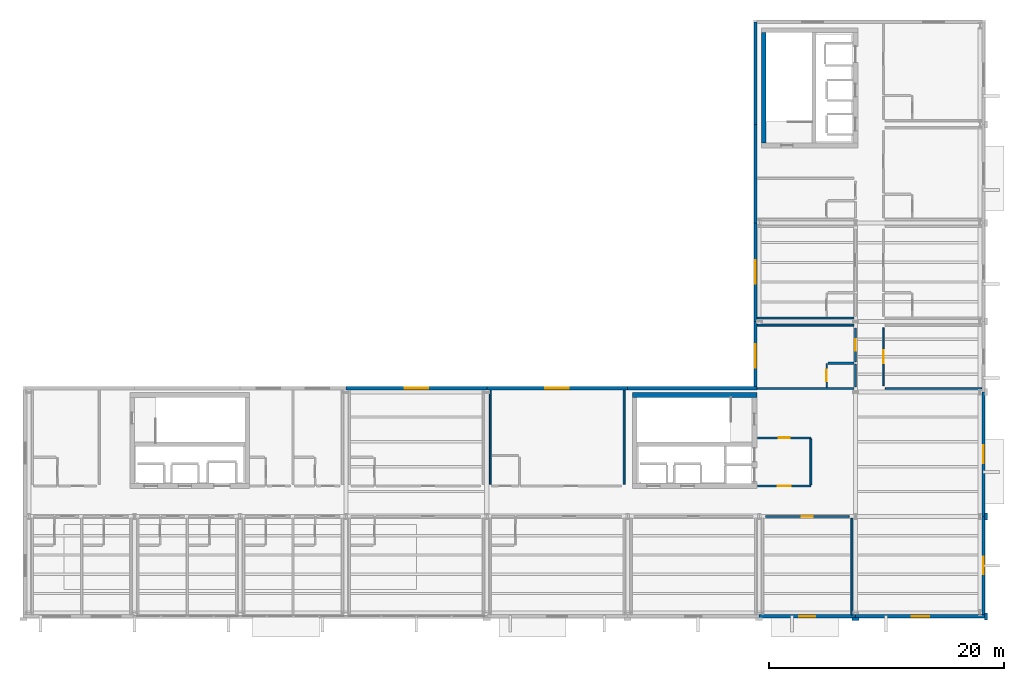
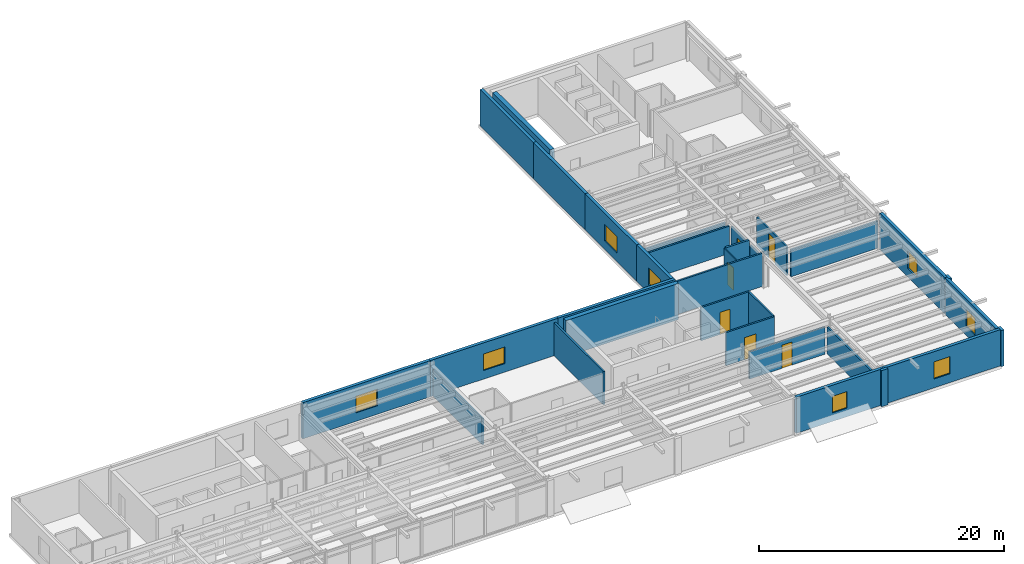
# One storey, part 15 of 19: 32 walls, 8 windows, 6 doors, 14 openings.
"""IFC4 building model written with IfcOpenShell, lengths in metres."""

from ifc_helpers import new_model, si_unit, direction, frame, frame_2d, origin, place, context, subcontext, project, spatial, rectangle, extrude, material, layer, layer_set, type_object, element, fill, save


model = new_model("IFC4")

# Units and contexts
model_context = context("Model", 3, precision=1e-05, world=origin(), true_north=direction((0.0, 1.0)))
body_context = subcontext(model_context, "Body", "Model", "MODEL_VIEW")
ifc_project = project(units=[si_unit("LENGTHUNIT", "METRE"), si_unit("AREAUNIT", "SQUARE_METRE"), si_unit("VOLUMEUNIT", "CUBIC_METRE"), si_unit("PLANEANGLEUNIT", "RADIAN"), si_unit("MASSUNIT", "GRAM", prefix="KILO")], contexts=[model_context])

# Site, building, storey
site_placement = place(None, origin())
site = spatial("IfcSite", under=ifc_project, at=site_placement, CompositionType="ELEMENT")
building_placement = place(site_placement, origin())
building = spatial("IfcBuilding", under=site, at=building_placement, Name="Sollismere Congress Hotel", CompositionType="ELEMENT")
storey_placement = place(building_placement, frame((0.0, 0.0, 44.60009765625)))
storey = spatial("IfcBuildingStorey", under=building, at=storey_placement, Name="L11", CompositionType="ELEMENT", Elevation=44.60009765625)

# Wall, opening, window
ifc_material_1 = material(Name="Colorado Buff Sandstone Rainscreen on Insulated Backup", Category="masonry")
ifc_layer_1 = layer(ifc_material_1, 0.284912109375, Name="Colorado Buff Sandstone Rainscreen on Insulated Backup")
ifc_layer_set_1 = layer_set([ifc_layer_1], Name="Colorado Buff Sandstone Rainscreen on Insulated Backup")
wall_type_1 = type_object("IfcWallType", Name="WL-EXT285", PredefinedType="STANDARD", material=ifc_layer_set_1)
wall_1_placement = place(storey_placement, frame((147.199951171875, -0.31005859375, 0.0), z_axis=(0.0, 0.0, 1.0), x_axis=(1.0, 0.0, 0.0)))
wall_1 = element("IfcWall", 1, at=wall_1_placement, inside=storey, type_object=wall_type_1, Name="Exterior wall EW-L11-1003", PredefinedType="STANDARD", context=body_context, shape_type="SweptSolid", body=[
    extrude(rectangle(XDim=8.199951171875, YDim=0.284912109375, at=frame_2d((4.10009765625, 0.0))), origin(), (0.0, 0.0, 1.0), 3.599853515625),
])
opening_1_placement = place(wall_1_placement, frame((3.425048828125, 0.0, 0.85009765625)))
opening_1 = element("IfcOpeningElement", 2, at=opening_1_placement, cuts=wall_1, Name="Opening W-L11-716", PredefinedType="OPENING", context=body_context, shape_type="SweptSolid", body=[
    extrude(rectangle(XDim=1.35009765625, YDim=1.64990234375, at=frame_2d((0.675048828125, 0.824951171875))), frame((0.0, 0.15234375, 0.0), z_axis=(0.0, -1.0, 0.0), x_axis=(1.0, 0.0, 0.0)), (0.0, 0.0, 1.0), 0.304931640625),
])
ifc_material_2 = material(Name="Thermally Broken Bronze Aluminum & Low-E Glass", Category="aluminium")
window_type_1 = type_object("IfcWindowType", Name="WN-P135x165", PartitioningType="SINGLE_PANEL", PredefinedType="WINDOW", material=ifc_material_2)
window_1_placement = place(opening_1_placement, origin())
window_1 = element("IfcWindow", 3, at=window_1_placement, inside=storey, type_object=window_type_1, Name="WIN-W-L11-716", OverallHeight=1.64990234375, OverallWidth=1.35009765625, PartitioningType="SINGLE_PANEL", PredefinedType="WINDOW", context=body_context, shape_type="SweptSolid", body=[
    extrude(rectangle(XDim=1.35009765625, YDim=1.64990234375, at=frame_2d((0.675048828125, 0.824951171875))), frame((0.0, 0.030029296875, 0.0), z_axis=(0.0, -1.0, 0.0), x_axis=(1.0, 0.0, 0.0)), (0.0, 0.0, 1.0), 0.06005859375),
])
fill(opening_1, window_1)

wall_2_placement = place(storey_placement, frame((155.39990234375, -0.31005859375, 0.0), z_axis=(0.0, 0.0, 1.0), x_axis=(1.0, 0.0, 0.0)))
wall_2 = element("IfcWall", 4, at=wall_2_placement, inside=storey, type_object=wall_type_1, Name="Exterior wall EW-L11-1005", PredefinedType="STANDARD", context=body_context, shape_type="SweptSolid", body=[
    extrude(rectangle(XDim=11.050048828125, YDim=0.284912109375, at=frame_2d((5.52490234375, 0.0))), origin(), (0.0, 0.0, 1.0), 3.599853515625),
])
opening_2_placement = place(wall_2_placement, frame((4.77490234375, 0.0, 0.8798828125)))
opening_2 = element("IfcOpeningElement", 5, at=opening_2_placement, cuts=wall_2, Name="Opening W-L11-717", PredefinedType="OPENING", context=body_context, shape_type="SweptSolid", body=[
    extrude(rectangle(XDim=1.5, YDim=1.699951171875, at=frame_2d((0.75, 0.85009765625))), frame((0.0, 0.15234375, 0.0), z_axis=(0.0, -1.0, 0.0), x_axis=(1.0, 0.0, 0.0)), (0.0, 0.0, 1.0), 0.304931640625),
])
window_type_2 = type_object("IfcWindowType", Name="WN-P150x170", PartitioningType="SINGLE_PANEL", PredefinedType="WINDOW", material=ifc_material_2)
window_2_placement = place(opening_2_placement, origin())
window_2 = element("IfcWindow", 6, at=window_2_placement, inside=storey, type_object=window_type_2, Name="WIN-W-L11-717", OverallHeight=1.699951171875, OverallWidth=1.5, PartitioningType="SINGLE_PANEL", PredefinedType="WINDOW", context=body_context, shape_type="SweptSolid", body=[
    extrude(rectangle(XDim=1.5, YDim=1.699951171875, at=frame_2d((0.75, 0.85009765625))), frame((0.0, 0.030029296875, 0.0), z_axis=(0.0, -1.0, 0.0), x_axis=(1.0, 0.0, 0.0)), (0.0, 0.0, 1.0), 0.06005859375),
])
fill(opening_2, window_2)

wall_3_placement = place(storey_placement, frame((166.31005859375, -0.16552734375, 0.0), z_axis=(0.0, 0.0, 1.0), x_axis=(0.0, 1.0, 0.0)))
wall_3 = element("IfcWall", 7, at=wall_3_placement, inside=storey, type_object=wall_type_1, Name="Exterior wall EW-L11-1007", PredefinedType="STANDARD", context=body_context, shape_type="SweptSolid", body=[
    extrude(rectangle(XDim=8.365478515625, YDim=0.284912109375, at=frame_2d((4.1826171875, 0.0))), origin(), (0.0, 0.0, 1.0), 3.599853515625),
])
opening_3_placement = place(wall_3_placement, frame((3.4326171875, 0.0, 0.8798828125)))
opening_3 = element("IfcOpeningElement", 8, at=opening_3_placement, cuts=wall_3, Name="Opening W-L11-718", PredefinedType="OPENING", context=body_context, shape_type="SweptSolid", body=[
    extrude(rectangle(XDim=1.5, YDim=1.699951171875, at=frame_2d((0.75, 0.85009765625))), frame((0.0, 0.15234375, 0.0), z_axis=(0.0, -1.0, 0.0), x_axis=(1.0, 0.0, 0.0)), (0.0, 0.0, 1.0), 0.304931640625),
])
window_3_placement = place(opening_3_placement, origin())
window_3 = element("IfcWindow", 9, at=window_3_placement, inside=storey, type_object=window_type_2, Name="WIN-W-L11-718", OverallHeight=1.699951171875, OverallWidth=1.5, PartitioningType="SINGLE_PANEL", PredefinedType="WINDOW", context=body_context, shape_type="SweptSolid", body=[
    extrude(rectangle(XDim=1.5, YDim=1.699951171875, at=frame_2d((0.75, 0.85009765625))), frame((0.0, 0.030029296875, 0.0), z_axis=(0.0, -1.0, 0.0), x_axis=(1.0, 0.0, 0.0)), (0.0, 0.0, 1.0), 0.06005859375),
])
fill(opening_3, window_3)

wall_4_placement = place(storey_placement, frame((166.31005859375, 8.199951171875, 0.0), z_axis=(0.0, 0.0, 1.0), x_axis=(0.0, 1.0, 0.0)))
wall_4 = element("IfcWall", 10, at=wall_4_placement, inside=storey, type_object=wall_type_1, Name="Exterior wall EW-L11-1009", PredefinedType="STANDARD", context=body_context, shape_type="SweptSolid", body=[
    extrude(rectangle(XDim=10.60009765625, YDim=0.284912109375, at=frame_2d((5.300048828125, 0.0))), origin(), (0.0, 0.0, 1.0), 3.599853515625),
])
opening_4_placement = place(wall_4_placement, frame((4.550048828125, 0.0, 0.8798828125)))
opening_4 = element("IfcOpeningElement", 11, at=opening_4_placement, cuts=wall_4, Name="Opening W-L11-719", PredefinedType="OPENING", context=body_context, shape_type="SweptSolid", body=[
    extrude(rectangle(XDim=1.5, YDim=1.699951171875, at=frame_2d((0.75, 0.85009765625))), frame((0.0, 0.15234375, 0.0), z_axis=(0.0, -1.0, 0.0), x_axis=(1.0, 0.0, 0.0)), (0.0, 0.0, 1.0), 0.304931640625),
])
window_4_placement = place(opening_4_placement, origin())
window_4 = element("IfcWindow", 12, at=window_4_placement, inside=storey, type_object=window_type_2, Name="WIN-W-L11-719", OverallHeight=1.699951171875, OverallWidth=1.5, PartitioningType="SINGLE_PANEL", PredefinedType="WINDOW", context=body_context, shape_type="SweptSolid", body=[
    extrude(rectangle(XDim=1.5, YDim=1.699951171875, at=frame_2d((0.75, 0.85009765625))), frame((0.0, 0.030029296875, 0.0), z_axis=(0.0, -1.0, 0.0), x_axis=(1.0, 0.0, 0.0)), (0.0, 0.0, 1.0), 0.06005859375),
])
fill(opening_4, window_4)

wall_5_placement = place(storey_placement, frame((124.0, 19.110107421875, 0.0), z_axis=(0.0, 0.0, 1.0), x_axis=(-1.0, 0.0, 0.0)))
wall_5 = element("IfcWall", 13, at=wall_5_placement, inside=storey, type_object=wall_type_1, Name="Exterior wall EW-L11-1022", PredefinedType="STANDARD", context=body_context, shape_type="SweptSolid", body=[
    extrude(rectangle(XDim=12.0, YDim=0.284912109375, at=frame_2d((6.0, 0.0))), origin(), (0.0, 0.0, 1.0), 3.599853515625),
])
opening_5_placement = place(wall_5_placement, frame((5.0, 0.0, 0.85009765625)))
opening_5 = element("IfcOpeningElement", 14, at=opening_5_placement, cuts=wall_5, Name="Opening W-L11-726", PredefinedType="OPENING", context=body_context, shape_type="SweptSolid", body=[
    extrude(rectangle(XDim=2.0, YDim=1.64990234375, at=frame_2d((1.0, 0.824951171875))), frame((0.0, 0.15234375, 0.0), z_axis=(0.0, -1.0, 0.0), x_axis=(1.0, 0.0, 0.0)), (0.0, 0.0, 1.0), 0.304931640625),
])
window_type_3 = type_object("IfcWindowType", Name="WN-P200x165", PartitioningType="SINGLE_PANEL", PredefinedType="WINDOW", material=ifc_material_2)
window_5_placement = place(opening_5_placement, origin())
window_5 = element("IfcWindow", 15, at=window_5_placement, inside=storey, type_object=window_type_3, Name="WIN-W-L11-726", OverallHeight=1.64990234375, OverallWidth=2.0, PartitioningType="SINGLE_PANEL", PredefinedType="WINDOW", context=body_context, shape_type="SweptSolid", body=[
    extrude(rectangle(XDim=2.0, YDim=1.64990234375, at=frame_2d((1.0, 0.824951171875))), frame((0.0, 0.030029296875, 0.0), z_axis=(0.0, -1.0, 0.0), x_axis=(1.0, 0.0, 0.0)), (0.0, 0.0, 1.0), 0.06005859375),
])
fill(opening_5, window_5)

wall_6_placement = place(storey_placement, frame((136.0, 19.110107421875, 0.0), z_axis=(0.0, 0.0, 1.0), x_axis=(-1.0, 0.0, 0.0)))
wall_6 = element("IfcWall", 16, at=wall_6_placement, inside=storey, type_object=wall_type_1, Name="Exterior wall EW-L11-1023", PredefinedType="STANDARD", context=body_context, shape_type="SweptSolid", body=[
    extrude(rectangle(XDim=12.0, YDim=0.284912109375, at=frame_2d((6.0, 0.0))), origin(), (0.0, 0.0, 1.0), 3.599853515625),
])
opening_6_placement = place(wall_6_placement, frame((5.0, 0.0, 0.85009765625)))
opening_6 = element("IfcOpeningElement", 17, at=opening_6_placement, cuts=wall_6, Name="Opening W-L11-727", PredefinedType="OPENING", context=body_context, shape_type="SweptSolid", body=[
    extrude(rectangle(XDim=2.0, YDim=1.64990234375, at=frame_2d((1.0, 0.824951171875))), frame((0.0, 0.15234375, 0.0), z_axis=(0.0, -1.0, 0.0), x_axis=(1.0, 0.0, 0.0)), (0.0, 0.0, 1.0), 0.304931640625),
])
window_6_placement = place(opening_6_placement, origin())
window_6 = element("IfcWindow", 18, at=window_6_placement, inside=storey, type_object=window_type_3, Name="WIN-W-L11-727", OverallHeight=1.64990234375, OverallWidth=2.0, PartitioningType="SINGLE_PANEL", PredefinedType="WINDOW", context=body_context, shape_type="SweptSolid", body=[
    extrude(rectangle(XDim=2.0, YDim=1.64990234375, at=frame_2d((1.0, 0.824951171875))), frame((0.0, 0.030029296875, 0.0), z_axis=(0.0, -1.0, 0.0), x_axis=(1.0, 0.0, 0.0)), (0.0, 0.0, 1.0), 0.06005859375),
])
fill(opening_6, window_6)

# Wall
wall_7_placement = place(storey_placement, frame((147.030029296875, 19.110107421875, 0.0), z_axis=(0.0, 0.0, 1.0), x_axis=(-1.0, 0.0, 0.0)))
element("IfcWall", 19, at=wall_7_placement, inside=storey, type_object=wall_type_1, Name="Exterior wall EW-L11-1024", PredefinedType="STANDARD", context=body_context, shape_type="SweptSolid", body=[
    extrude(rectangle(XDim=11.030029296875, YDim=0.284912109375, at=frame_2d((5.51513671875, 0.0))), origin(), (0.0, 0.0, 1.0), 3.599853515625),
])

# Wall, opening, window
wall_8_placement = place(storey_placement, frame((146.889892578125, 19.25439453125, 0.0), z_axis=(0.0, 0.0, 1.0), x_axis=(0.0, 1.0, 0.0)))
wall_8 = element("IfcWall", 20, at=wall_8_placement, inside=storey, type_object=wall_type_1, Name="Exterior wall EW-L11-1025", PredefinedType="STANDARD", context=body_context, shape_type="SweptSolid", body=[
    extrude(rectangle(XDim=5.545654296875, YDim=0.284912109375, at=frame_2d((2.77294921875, 0.0))), origin(), (0.0, 0.0, 1.0), 3.599853515625),
])
opening_7_placement = place(wall_8_placement, frame((1.59765625, 0.0, 0.85009765625)))
opening_7 = element("IfcOpeningElement", 21, at=opening_7_placement, cuts=wall_8, Name="Opening W-L11-728", PredefinedType="OPENING", context=body_context, shape_type="SweptSolid", body=[
    extrude(rectangle(XDim=2.0, YDim=1.64990234375, at=frame_2d((1.0, 0.824951171875))), frame((0.0, 0.15234375, 0.0), z_axis=(0.0, -1.0, 0.0), x_axis=(1.0, 0.0, 0.0)), (0.0, 0.0, 1.0), 0.304931640625),
])
window_7_placement = place(opening_7_placement, origin())
window_7 = element("IfcWindow", 22, at=window_7_placement, inside=storey, type_object=window_type_3, Name="WIN-W-L11-728", OverallHeight=1.64990234375, OverallWidth=2.0, PartitioningType="SINGLE_PANEL", PredefinedType="WINDOW", context=body_context, shape_type="SweptSolid", body=[
    extrude(rectangle(XDim=2.0, YDim=1.64990234375, at=frame_2d((1.0, 0.824951171875))), frame((0.0, 0.030029296875, 0.0), z_axis=(0.0, -1.0, 0.0), x_axis=(1.0, 0.0, 0.0)), (0.0, 0.0, 1.0), 0.06005859375),
])
fill(opening_7, window_7)

wall_9_placement = place(storey_placement, frame((146.889892578125, 24.800048828125, 0.0), z_axis=(0.0, 0.0, 1.0), x_axis=(0.0, 1.0, 0.0)))
wall_9 = element("IfcWall", 23, at=wall_9_placement, inside=storey, type_object=wall_type_1, Name="Exterior wall EW-L11-1026", PredefinedType="STANDARD", context=body_context, shape_type="SweptSolid", body=[
    extrude(rectangle(XDim=8.39990234375, YDim=0.284912109375, at=frame_2d((4.199951171875, 0.0))), origin(), (0.0, 0.0, 1.0), 3.599853515625),
])
opening_8_placement = place(wall_9_placement, frame((3.199951171875, 0.0, 0.85009765625)))
opening_8 = element("IfcOpeningElement", 24, at=opening_8_placement, cuts=wall_9, Name="Opening W-L11-729", PredefinedType="OPENING", context=body_context, shape_type="SweptSolid", body=[
    extrude(rectangle(XDim=2.0, YDim=1.64990234375, at=frame_2d((1.0, 0.824951171875))), frame((0.0, 0.15234375, 0.0), z_axis=(0.0, -1.0, 0.0), x_axis=(1.0, 0.0, 0.0)), (0.0, 0.0, 1.0), 0.304931640625),
])
window_8_placement = place(opening_8_placement, origin())
window_8 = element("IfcWindow", 25, at=window_8_placement, inside=storey, type_object=window_type_3, Name="WIN-W-L11-729", OverallHeight=1.64990234375, OverallWidth=2.0, PartitioningType="SINGLE_PANEL", PredefinedType="WINDOW", context=body_context, shape_type="SweptSolid", body=[
    extrude(rectangle(XDim=2.0, YDim=1.64990234375, at=frame_2d((1.0, 0.824951171875))), frame((0.0, 0.030029296875, 0.0), z_axis=(0.0, -1.0, 0.0), x_axis=(1.0, 0.0, 0.0)), (0.0, 0.0, 1.0), 0.06005859375),
])
fill(opening_8, window_8)

# Walls
wall_10_placement = place(storey_placement, frame((146.889892578125, 33.199951171875, 0.0), z_axis=(0.0, 0.0, 1.0), x_axis=(0.0, 1.0, 0.0)))
element("IfcWall", 26, at=wall_10_placement, inside=storey, type_object=wall_type_1, Name="Exterior wall EW-L11-1027", PredefinedType="STANDARD", context=body_context, shape_type="SweptSolid", body=[
    extrude(rectangle(XDim=8.400146484375, YDim=0.284912109375, at=frame_2d((4.2001953125, 0.0))), origin(), (0.0, 0.0, 1.0), 3.599853515625),
])
wall_11_placement = place(storey_placement, frame((146.889892578125, 41.60009765625, 0.0), z_axis=(0.0, 0.0, 1.0), x_axis=(0.0, 1.0, 0.0)))
element("IfcWall", 27, at=wall_11_placement, inside=storey, type_object=wall_type_1, Name="Exterior wall EW-L11-1028", PredefinedType="STANDARD", context=body_context, shape_type="SweptSolid", body=[
    extrude(rectangle(XDim=8.7099609375, YDim=0.284912109375, at=frame_2d((4.35498046875, 0.0))), origin(), (0.0, 0.0, 1.0), 3.599853515625),
])
ifc_material_3 = material(Name="Carved Travertine Pilaster & Frieze Assembly", Category="masonry")
ifc_layer_2 = layer(ifc_material_3, 0.260009765625, Name="Carved Travertine Pilaster & Frieze Assembly")
ifc_layer_set_2 = layer_set([ifc_layer_2], Name="Carved Travertine Pilaster & Frieze Assembly")
wall_type_2 = type_object("IfcWallType", Name="WL-PIL280", PredefinedType="ELEMENTEDWALL", material=ifc_layer_set_2)
wall_12_placement = place(storey_placement, frame((155.10009765625, -0.52001953125, 0.0), z_axis=(0.0, 0.0, 1.0), x_axis=(1.0, 0.0, 0.0)))
element("IfcWall", 28, at=wall_12_placement, inside=storey, type_object=wall_type_2, Name="Exterior wall EW-L11-1006", PredefinedType="ELEMENTEDWALL", context=body_context, shape_type="SweptSolid", body=[
    extrude(rectangle(XDim=0.599853515625, YDim=0.260009765625, at=frame_2d((0.2998046875, 0.0))), origin(), (0.0, 0.0, 1.0), 3.599853515625),
])
for number, where, z_axis, x_axis, name in (
    (29, (166.52001953125, -0.610107421875, 0.0), (0.0, 0.0, 1.0), (0.0, 1.0, 0.0), "Exterior wall EW-L11-1008"),
    (30, (166.52001953125, 7.89990234375, 0.0), (0.0, 0.0, 1.0), (0.0, 1.0, 0.0), "Exterior wall EW-L11-1010"),
):
    element("IfcWall", number, at=place(storey_placement, frame(where, z_axis=z_axis, x_axis=x_axis)), inside=storey, type_object=wall_type_2, Name=name, PredefinedType="ELEMENTEDWALL", context=body_context, shape_type="SweptSolid", body=[
        extrude(rectangle(XDim=0.60009765625, YDim=0.260009765625, at=frame_2d((0.300048828125, 0.0))), origin(), (0.0, 0.0, 1.0), 3.599853515625),
    ])
ifc_material_4 = material(Name="Moisture-Resistant Shaft Gypsum Assembly")
ifc_layer_3 = layer(ifc_material_4, 0.199951171875, Name="Moisture-Resistant Shaft Gypsum Assembly")
ifc_layer_set_3 = layer_set([ifc_layer_3], Name="Moisture-Resistant Shaft Gypsum Assembly")
wall_type_3 = type_object("IfcWallType", Name="WL-PLM200", PredefinedType="PLUMBINGWALL", material=ifc_layer_set_3)
wall_13_placement = place(storey_placement, frame((153.070068359375, 21.25, 0.0), z_axis=(0.0, 0.0, 1.0), x_axis=(1.0, 0.0, 0.0)))
element("IfcWall", 31, at=wall_13_placement, inside=storey, type_object=wall_type_3, Name="Interior wall IW-L11-2945", PredefinedType="PLUMBINGWALL", context=body_context, shape_type="SweptSolid", body=[
    extrude(rectangle(XDim=2.2099609375, YDim=0.199951171875, at=frame_2d((1.10498046875, 0.0))), origin(), (0.0, 0.0, 1.0), 3.2998046875),
])

# Wall, opening, door
ifc_material_5 = material(Name="Moisture-Resistant Gypsum Partition")
ifc_layer_4 = layer(ifc_material_5, 0.10009765625, Name="Moisture-Resistant Gypsum Partition")
ifc_layer_set_4 = layer_set([ifc_layer_4], Name="Moisture-Resistant Gypsum Partition")
wall_type_4 = type_object("IfcWallType", Name="WL-PRT100", PredefinedType="PARTITIONING", material=ifc_layer_set_4)
wall_14_placement = place(storey_placement, frame((152.949951171875, 19.194580078125, 0.0), z_axis=(0.0, 0.0, 1.0), x_axis=(0.0, 1.0, 0.0)))
wall_14 = element("IfcWall", 32, at=wall_14_placement, inside=storey, type_object=wall_type_4, Name="Interior wall IW-L11-2946", PredefinedType="PARTITIONING", context=body_context, shape_type="SweptSolid", body=[
    extrude(rectangle(XDim=2.015380859375, YDim=0.10009765625, at=frame_2d((1.0078125, 0.0))), origin(), (0.0, 0.0, 1.0), 3.2998046875),
])
opening_9_placement = place(wall_14_placement, frame((0.530029296875, 0.0, 0.0)))
opening_9 = element("IfcOpeningElement", 33, at=opening_9_placement, cuts=wall_14, Name="Opening D-L11-1041", PredefinedType="OPENING", context=body_context, shape_type="SweptSolid", body=[
    extrude(rectangle(XDim=0.955078125, YDim=2.219970703125, at=frame_2d((0.4775390625, 1.10986328125))), frame((0.0, 0.06005859375, 0.0), z_axis=(0.0, -1.0, 0.0), x_axis=(1.0, 0.0, 0.0)), (0.0, 0.0, 1.0), 0.1201171875),
])
ifc_material_6 = material(Name="Moisture-Sealed Timber Bathroom Door", Category="wood")
door_type_1 = type_object("IfcDoorType", Name="DR-BT08", OperationType="NOTDEFINED", PredefinedType="DOOR", material=ifc_material_6)
door_1_placement = place(opening_9_placement, origin())
door_1 = element("IfcDoor", 34, at=door_1_placement, inside=storey, type_object=door_type_1, Name="En-suite bathroom door D-L11-1041", OperationType="SINGLE_SWING_RIGHT", OverallHeight=2.219970703125, OverallWidth=0.955078125, PredefinedType="DOOR", context=body_context, shape_type="SweptSolid", body=[
    extrude(rectangle(XDim=0.955078125, YDim=2.219970703125, at=frame_2d((0.4775390625, 1.10986328125))), frame((0.0, 0.02490234375, 0.0), z_axis=(0.0, -1.0, 0.0), x_axis=(1.0, 0.0, 0.0)), (0.0, 0.0, 1.0), 0.050048828125),
])
fill(opening_9, door_1)

# Wall
ifc_material_7 = material(Name="Fire-Rated Gypsum Partition")
ifc_layer_5 = layer(ifc_material_7, 0.139892578125, Name="Fire-Rated Gypsum Partition")
ifc_layer_set_5 = layer_set([ifc_layer_5], Name="Fire-Rated Gypsum Partition")
wall_type_5 = type_object("IfcWallType", Name="WL-PRT140R", PredefinedType="PARTITIONING", material=ifc_layer_set_5)
wall_15_placement = place(storey_placement, frame((155.39990234375, 19.239990234375, 0.0), z_axis=(0.0, 0.0, 1.0), x_axis=(0.0, 1.0, 0.0)))
element("IfcWall", 35, at=wall_15_placement, inside=storey, type_object=wall_type_5, Name="Interior wall IW-L11-2941", PredefinedType="PARTITIONING", context=body_context, shape_type="SweptSolid", body=[
    extrude(rectangle(XDim=1.929931640625, YDim=0.139892578125, at=frame_2d((0.96484375, 0.0))), origin(), (0.0, 0.0, 1.0), 2.77392578125),
])

# Wall, opening, door
wall_16_placement = place(storey_placement, frame((155.39990234375, 21.3701171875, 0.0), z_axis=(0.0, 0.0, 1.0), x_axis=(0.0, 1.0, 0.0)))
wall_16 = element("IfcWall", 36, at=wall_16_placement, inside=storey, type_object=wall_type_5, Name="Interior wall IW-L11-2942", PredefinedType="PARTITIONING", context=body_context, shape_type="SweptSolid", body=[
    extrude(rectangle(XDim=2.889892578125, YDim=0.139892578125, at=frame_2d((1.44482421875, 0.0))), origin(), (0.0, 0.0, 1.0), 2.77392578125),
])
opening_10_placement = place(wall_16_placement, frame((0.955078125, 0.0, 0.0)))
opening_10 = element("IfcOpeningElement", 37, at=opening_10_placement, cuts=wall_16, Name="Opening D-L11-1040", PredefinedType="OPENING", context=body_context, shape_type="SweptSolid", body=[
    extrude(rectangle(XDim=0.97998046875, YDim=2.199951171875, at=frame_2d((0.489990234375, 1.10009765625))), frame((0.0, 0.079833984375, 0.0), z_axis=(0.0, -1.0, 0.0), x_axis=(1.0, 0.0, 0.0)), (0.0, 0.0, 1.0), 0.159912109375),
])
ifc_material_8 = material(Name="Solid-Core Acoustic Walnut Guestroom Entry Door")
door_type_2 = type_object("IfcDoorType", Name="DR-KY03", OperationType="NOTDEFINED", PredefinedType="DOOR", material=ifc_material_8)
door_2_placement = place(opening_10_placement, origin())
door_2 = element("IfcDoor", 38, at=door_2_placement, inside=storey, type_object=door_type_2, Name="Hotel room entry door D-L11-1040", OperationType="SINGLE_SWING_LEFT", OverallHeight=2.199951171875, OverallWidth=0.97998046875, PredefinedType="DOOR", context=body_context, shape_type="SweptSolid", body=[
    extrude(rectangle(XDim=0.97998046875, YDim=2.199951171875, at=frame_2d((0.489990234375, 1.10009765625))), frame((0.0, 0.02490234375, 0.0), z_axis=(0.0, -1.0, 0.0), x_axis=(1.0, 0.0, 0.0)), (0.0, 0.0, 1.0), 0.050048828125),
])
fill(opening_10, door_2)

wall_17_placement = place(storey_placement, frame((147.739990234375, 8.199951171875, 0.0), z_axis=(0.0, 0.0, 1.0), x_axis=(1.0, 0.0, 0.0)))
wall_17 = element("IfcWall", 39, at=wall_17_placement, inside=storey, type_object=wall_type_5, Name="Interior wall IW-L11-2985", PredefinedType="PARTITIONING", context=body_context, shape_type="SweptSolid", body=[
    extrude(rectangle(XDim=7.1201171875, YDim=0.139892578125, at=frame_2d((3.56005859375, 0.0))), origin(), (0.0, 0.0, 1.0), 2.712890625),
])
opening_11_placement = place(wall_17_placement, frame((3.0849609375, 0.0, 0.0)))
opening_11 = element("IfcOpeningElement", 40, at=opening_11_placement, cuts=wall_17, Name="Opening D-L11-1055", PredefinedType="OPENING", context=body_context, shape_type="SweptSolid", body=[
    extrude(rectangle(XDim=0.949951171875, YDim=2.300048828125, at=frame_2d((0.47509765625, 1.14990234375))), frame((0.0, 0.079833984375, 0.0), z_axis=(0.0, -1.0, 0.0), x_axis=(1.0, 0.0, 0.0)), (0.0, 0.0, 1.0), 0.159912109375),
])
door_type_3 = type_object("IfcDoorType", Name="DR-KY08", OperationType="NOTDEFINED", PredefinedType="DOOR", material=ifc_material_8)
door_3_placement = place(opening_11_placement, origin())
door_3 = element("IfcDoor", 41, at=door_3_placement, inside=storey, type_object=door_type_3, Name="Hotel room entry door D-L11-1055", OperationType="SINGLE_SWING_RIGHT", OverallHeight=2.300048828125, OverallWidth=0.949951171875, PredefinedType="DOOR", context=body_context, shape_type="SweptSolid", body=[
    extrude(rectangle(XDim=0.949951171875, YDim=2.300048828125, at=frame_2d((0.47509765625, 1.14990234375))), frame((0.0, 0.02490234375, 0.0), z_axis=(0.0, -1.0, 0.0), x_axis=(1.0, 0.0, 0.0)), (0.0, 0.0, 1.0), 0.050048828125),
])
fill(opening_11, door_3)

wall_18_placement = place(storey_placement, frame((157.800048828125, 19.340087890625, 0.0), z_axis=(0.0, 0.0, 1.0), x_axis=(0.0, 1.0, 0.0)))
wall_18 = element("IfcWall", 42, at=wall_18_placement, inside=storey, type_object=wall_type_5, Name="Interior wall IW-L11-2988", PredefinedType="PARTITIONING", context=body_context, shape_type="SweptSolid", body=[
    extrude(rectangle(XDim=4.919921875, YDim=0.139892578125, at=frame_2d((2.4599609375, 0.0))), origin(), (0.0, 0.0, 1.0), 2.85791015625),
])
opening_12_placement = place(wall_18_placement, frame((1.925048828125, 0.0, 0.0)))
opening_12 = element("IfcOpeningElement", 43, at=opening_12_placement, cuts=wall_18, Name="Opening D-L11-1056", PredefinedType="OPENING", context=body_context, shape_type="SweptSolid", body=[
    extrude(rectangle(XDim=1.070068359375, YDim=2.39990234375, at=frame_2d((0.53515625, 1.199951171875))), frame((0.0, 0.079833984375, 0.0), z_axis=(0.0, -1.0, 0.0), x_axis=(1.0, 0.0, 0.0)), (0.0, 0.0, 1.0), 0.159912109375),
])
door_type_4 = type_object("IfcDoorType", Name="DR-KY12", OperationType="NOTDEFINED", PredefinedType="DOOR", material=ifc_material_8)
door_4_placement = place(opening_12_placement, origin())
door_4 = element("IfcDoor", 44, at=door_4_placement, inside=storey, type_object=door_type_4, Name="Hotel room entry door D-L11-1056", OperationType="SINGLE_SWING_LEFT", OverallHeight=2.39990234375, OverallWidth=1.070068359375, PredefinedType="DOOR", context=body_context, shape_type="SweptSolid", body=[
    extrude(rectangle(XDim=1.070068359375, YDim=2.39990234375, at=frame_2d((0.53515625, 1.199951171875))), frame((0.0, 0.02490234375, 0.0), z_axis=(0.0, -1.0, 0.0), x_axis=(1.0, 0.0, 0.0)), (0.0, 0.0, 1.0), 0.050048828125),
])
fill(opening_12, door_4)

ifc_material_9 = material(Name="Fire-Rated Acoustic Gypsum Partition")
ifc_layer_6 = layer(ifc_material_9, 0.1650390625, Name="Fire-Rated Acoustic Gypsum Partition")
ifc_layer_set_6 = layer_set([ifc_layer_6], Name="Fire-Rated Acoustic Gypsum Partition")
wall_type_6 = type_object("IfcWallType", Name="WL-PRT165R", PredefinedType="PARTITIONING", material=ifc_layer_set_6)
wall_19_placement = place(storey_placement, frame((147.050048828125, 10.800048828125, 0.0), z_axis=(0.0, 0.0, 1.0), x_axis=(1.0, 0.0, 0.0)))
wall_19 = element("IfcWall", 45, at=wall_19_placement, inside=storey, type_object=wall_type_6, Name="Interior wall IW-L11-0206", PredefinedType="PARTITIONING", context=body_context, shape_type="SweptSolid", body=[
    extrude(rectangle(XDim=4.550048828125, YDim=0.1650390625, at=frame_2d((2.27490234375, 0.0))), origin(), (0.0, 0.0, 1.0), 3.2998046875),
])
opening_13_placement = place(wall_19_placement, frame((1.72509765625, 0.0, 0.0)))
opening_13 = element("IfcOpeningElement", 46, at=opening_13_placement, cuts=wall_19, Name="Opening D-FFL-L11", PredefinedType="OPENING", context=body_context, shape_type="SweptSolid", body=[
    extrude(rectangle(XDim=1.10009765625, YDim=2.199951171875, at=frame_2d((0.550048828125, 1.10009765625))), frame((0.0, 0.092529296875, 0.0), z_axis=(0.0, -1.0, 0.0), x_axis=(1.0, 0.0, 0.0)), (0.0, 0.0, 1.0), 0.18505859375),
])
ifc_material_10 = material(Name="Smoke-Barrier Rated Timber-Clad Steel Door", Category="steel")
door_type_5 = type_object("IfcDoorType", Name="DR-FFL110", OperationType="NOTDEFINED", PredefinedType="DOOR", material=ifc_material_10)
door_5_placement = place(opening_13_placement, origin())
door_5 = element("IfcDoor", 47, at=door_5_placement, inside=storey, type_object=door_type_5, Name="Firefighting lobby smoke door D-FFL-L11", OperationType="SINGLE_SWING_RIGHT", OverallHeight=2.199951171875, OverallWidth=1.10009765625, PredefinedType="DOOR", context=body_context, shape_type="SweptSolid", body=[
    extrude(rectangle(XDim=1.10009765625, YDim=2.199951171875, at=frame_2d((0.550048828125, 1.10009765625))), frame((0.0, 0.02490234375, 0.0), z_axis=(0.0, -1.0, 0.0), x_axis=(1.0, 0.0, 0.0)), (0.0, 0.0, 1.0), 0.050048828125),
])
fill(opening_13, door_5)

wall_20_placement = place(storey_placement, frame((147.050048828125, 14.89990234375, 0.0), z_axis=(0.0, 0.0, 1.0), x_axis=(1.0, 0.0, 0.0)))
wall_20 = element("IfcWall", 48, at=wall_20_placement, inside=storey, type_object=wall_type_6, Name="Interior wall IW-L11-0207", PredefinedType="PARTITIONING", context=body_context, shape_type="SweptSolid", body=[
    extrude(rectangle(XDim=4.550048828125, YDim=0.1650390625, at=frame_2d((2.27490234375, 0.0))), origin(), (0.0, 0.0, 1.0), 3.2998046875),
])
opening_14_placement = place(wall_20_placement, frame((1.800048828125, 0.0, 0.0)))
opening_14 = element("IfcOpeningElement", 49, at=opening_14_placement, cuts=wall_20, Name="Opening D-FFS-L11", PredefinedType="OPENING", context=body_context, shape_type="SweptSolid", body=[
    extrude(rectangle(XDim=0.949951171875, YDim=2.199951171875, at=frame_2d((0.47509765625, 1.10009765625))), frame((0.0, 0.092529296875, 0.0), z_axis=(0.0, -1.0, 0.0), x_axis=(1.0, 0.0, 0.0)), (0.0, 0.0, 1.0), 0.18505859375),
])
ifc_material_11 = material(Name="Fire-Rated Insulated Steel Door", Category="steel")
door_type_6 = type_object("IfcDoorType", Name="DR-FD90", OperationType="NOTDEFINED", PredefinedType="DOOR", material=ifc_material_11)
door_6_placement = place(opening_14_placement, origin())
door_6 = element("IfcDoor", 50, at=door_6_placement, inside=storey, type_object=door_type_6, Name="Firefighting stair vestibule door D-FFS-L11", OperationType="SINGLE_SWING_LEFT", OverallHeight=2.199951171875, OverallWidth=0.949951171875, PredefinedType="DOOR", context=body_context, shape_type="SweptSolid", body=[
    extrude(rectangle(XDim=0.949951171875, YDim=2.199951171875, at=frame_2d((0.47509765625, 1.10009765625))), frame((0.0, 0.02490234375, 0.0), z_axis=(0.0, -1.0, 0.0), x_axis=(1.0, 0.0, 0.0)), (0.0, 0.0, 1.0), 0.050048828125),
])
fill(opening_14, door_6)

# Walls
wall_21_placement = place(storey_placement, frame((151.60009765625, 10.89453125, 0.0), z_axis=(0.0, 0.0, 1.0), x_axis=(0.0, 1.0, 0.0)))
element("IfcWall", 51, at=wall_21_placement, inside=storey, type_object=wall_type_6, Name="Interior wall IW-L11-0208", PredefinedType="PARTITIONING", context=body_context, shape_type="SweptSolid", body=[
    extrude(rectangle(XDim=3.910888671875, YDim=0.1650390625, at=frame_2d((1.95556640625, 0.0))), origin(), (0.0, 0.0, 1.0), 3.2998046875),
])
wall_22_placement = place(storey_placement, frame((147.0400390625, 19.10009765625, 0.0), z_axis=(0.0, 0.0, 1.0), x_axis=(1.0, 0.0, 0.0)))
element("IfcWall", 52, at=wall_22_placement, inside=storey, type_object=wall_type_6, Name="Interior wall IW-L11-2943", PredefinedType="PARTITIONING", context=body_context, shape_type="SweptSolid", body=[
    extrude(rectangle(XDim=8.219970703125, YDim=0.1650390625, at=frame_2d((4.10986328125, 0.0))), origin(), (0.0, 0.0, 1.0), 3.2998046875),
])
for number, where, z_axis, x_axis, name in (
    (53, (147.047607421875, 24.5, 0.0), (0.0, 0.0, 1.0), (1.0, 0.0, 0.0), "Interior wall IW-L11-2944"),
    (54, (147.047607421875, 25.10009765625, 0.0), (0.0, 0.0, 1.0), (1.0, 0.0, 0.0), "Interior wall IW-L11-2955"),
):
    element("IfcWall", number, at=place(storey_placement, frame(where, z_axis=z_axis, x_axis=x_axis)), inside=storey, type_object=wall_type_6, Name=name, PredefinedType="PARTITIONING", context=body_context, shape_type="SweptSolid", body=[
        extrude(rectangle(XDim=8.21240234375, YDim=0.1650390625, at=frame_2d((4.106201171875, 0.0))), origin(), (0.0, 0.0, 1.0), 2.712890625),
    ])
wall_23_placement = place(storey_placement, frame((124.300048828125, 10.93994140625, 0.0), z_axis=(0.0, 0.0, 1.0), x_axis=(0.0, 1.0, 0.0)))
element("IfcWall", 55, at=wall_23_placement, inside=storey, type_object=wall_type_6, Name="Interior wall IW-L11-2980", PredefinedType="PARTITIONING", context=body_context, shape_type="SweptSolid", body=[
    extrude(rectangle(XDim=8.012451171875, YDim=0.1650390625, at=frame_2d((4.00634765625, 0.0))), origin(), (0.0, 0.0, 1.0), 2.62890625),
])
wall_24_placement = place(storey_placement, frame((135.699951171875, 10.93994140625, 0.0), z_axis=(0.0, 0.0, 1.0), x_axis=(0.0, 1.0, 0.0)))
element("IfcWall", 56, at=wall_24_placement, inside=storey, type_object=wall_type_6, Name="Interior wall IW-L11-2981", PredefinedType="PARTITIONING", context=body_context, shape_type="SweptSolid", body=[
    extrude(rectangle(XDim=8.012451171875, YDim=0.1650390625, at=frame_2d((4.00634765625, 0.0))), origin(), (0.0, 0.0, 1.0), 3.2998046875),
])
for number, where, z_axis, x_axis, name in (
    (57, (155.10009765625, -0.152587890625, 0.0), (0.0, 0.0, 1.0), (0.0, 1.0, 0.0), "Interior wall IW-L11-2987"),
    (58, (157.93994140625, 19.10009765625, 0.0), (0.0, 0.0, 1.0), (1.0, 0.0, 0.0), "Interior wall IW-L11-2989"),
):
    element("IfcWall", number, at=place(storey_placement, frame(where, z_axis=z_axis, x_axis=x_axis)), inside=storey, type_object=wall_type_6, Name=name, PredefinedType="PARTITIONING", context=body_context, shape_type="SweptSolid", body=[
        extrude(rectangle(XDim=8.212646484375, YDim=0.1650390625, at=frame_2d((4.1064453125, 0.0))), origin(), (0.0, 0.0, 1.0), 2.68994140625),
    ])
ifc_material_12 = material(Name="Concrete C50/60", Category="concrete")
ifc_layer_7 = layer(ifc_material_12, 0.39990234375, Name="Concrete C50/60")
ifc_layer_set_7 = layer_set([ifc_layer_7], Name="Concrete C50/60")
wall_type_7 = type_object("IfcWallType", Name="WL-SHR400", PredefinedType="SHEAR", material=ifc_layer_set_7)
wall_25_placement = place(storey_placement, frame((147.0, 18.550048828125, 0.0), z_axis=(0.0, 0.0, 1.0), x_axis=(-1.0, 0.0, 0.0)))
element("IfcWall", 59, at=wall_25_placement, inside=storey, type_object=wall_type_7, Name="Interior wall IW-L11-0194", PredefinedType="SHEAR", context=body_context, shape_type="SweptSolid", body=[
    extrude(rectangle(XDim=10.60009765625, YDim=0.39990234375, at=frame_2d((5.300048828125, 0.0))), origin(), (0.0, 0.0, 1.0), 3.599853515625),
])
wall_26_placement = place(storey_placement, frame((147.60009765625, 49.39990234375, 0.0), z_axis=(0.0, 0.0, 1.0), x_axis=(0.0, -1.0, 0.0)))
element("IfcWall", 60, at=wall_26_placement, inside=storey, type_object=wall_type_7, Name="Interior wall IW-L11-0548", PredefinedType="SHEAR", context=body_context, shape_type="SweptSolid", body=[
    extrude(rectangle(XDim=9.39990234375, YDim=0.39990234375, at=frame_2d((4.699951171875, 0.0))), origin(), (0.0, 0.0, 1.0), 3.599853515625),
])

save(model, "model.ifc")
